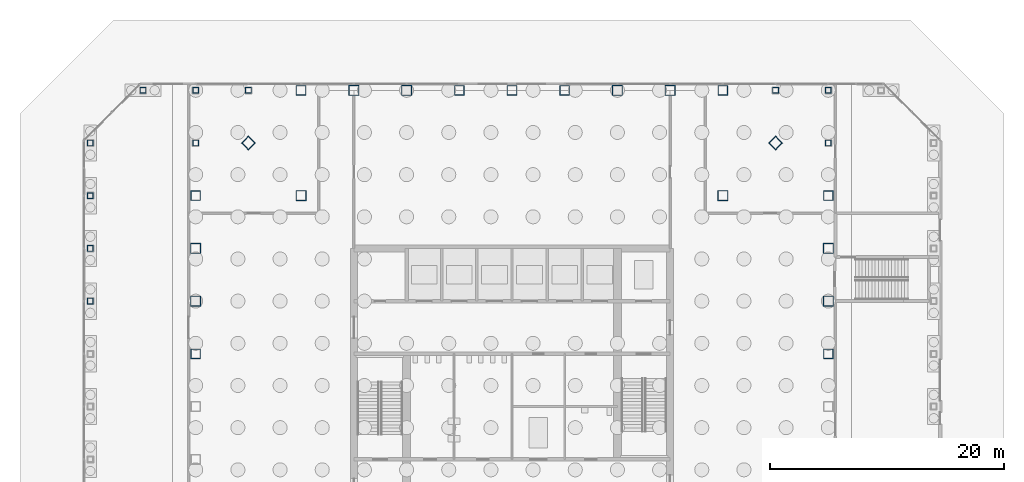
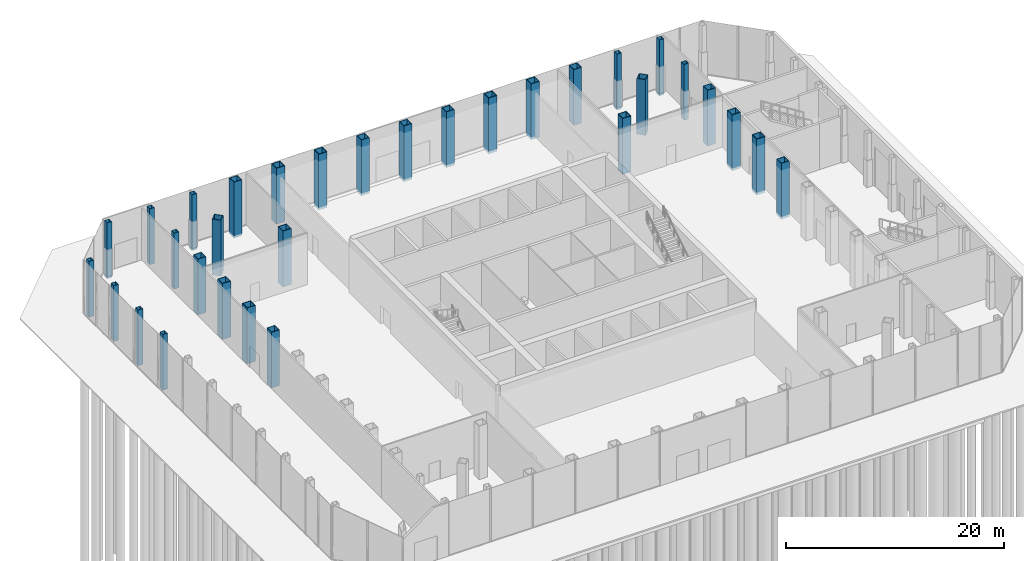
# One storey, part 4 of 24: 32 columns.
"""IFC4 building model written with IfcOpenShell, lengths in metres."""

from ifc_helpers import new_model, si_unit, direction, frame, origin, origin_2d, place, context, subcontext, project, spatial, hollow_rectangle, extrude, material, material_profile, profile_set, type_object, element, save


model = new_model("IFC4")

# Units and contexts
model_context = context("Model", 3, precision=1e-05, world=origin(), true_north=direction((0.0, 1.0)))
body_context = subcontext(model_context, "Body", "Model", "MODEL_VIEW")
ifc_project = project(units=[si_unit("LENGTHUNIT", "METRE"), si_unit("AREAUNIT", "SQUARE_METRE"), si_unit("VOLUMEUNIT", "CUBIC_METRE"), si_unit("PLANEANGLEUNIT", "RADIAN"), si_unit("MASSUNIT", "GRAM", prefix="KILO")], contexts=[model_context])

# Site, building, storey
site_placement = place(None, origin())
site = spatial("IfcSite", under=ifc_project, at=site_placement, CompositionType="ELEMENT")
building_placement = place(site_placement, origin())
building = spatial("IfcBuilding", under=site, at=building_placement, Name="Corais Broadcast Tower", CompositionType="ELEMENT")
storey_placement = place(building_placement, origin())
storey = spatial("IfcBuildingStorey", under=building, at=storey_placement, Name="L00", CompositionType="ELEMENT", Elevation=0.0)

# Columns
ifc_material_1 = material(Name="Steel ASTM A572 Grade 50", Category="steel")
ifc_material_profile_1 = material_profile(ifc_material_1, hollow_rectangle(XDim=0.5, YDim=0.5, WallThickness=0.02197265625, at=origin_2d()), Name="BOX 500x500x22")
ifc_profile_set_1 = profile_set([ifc_material_profile_1], Name="Steel ASTM A572 Grade 50")
column_type_1 = type_object("IfcColumnType", Name="Column BOX 500x500x22", PredefinedType="COLUMN", material=ifc_profile_set_1)
for number, where, z_axis, x_axis, name in (
    (1, (-9.0, 36.0, -0.25), (0.0, 0.0, 1.0), (1.0, 0.0, 0.0), "C9 J/1"),
    (2, (-9.0, 40.5, -0.25), (0.0, 0.0, 1.0), (1.0, 0.0, 0.0), "C9 K/1"),
    (3, (-9.0, 45.0, -0.25), (0.0, 0.0, 1.0), (1.0, 0.0, 0.0), "C9 L/1"),
    (4, (-9.0, 49.5, -0.25), (0.0, 0.0, 1.0), (1.0, 0.0, 0.0), "C9 M/1"),
    (5, (-4.5, 54.0, -0.25), (0.0, 0.0, 1.0), (1.0, 0.0, 0.0), "C9 N/2"),
    (6, (54.0, 54.0, -0.25), (0.0, 0.0, 1.0), (1.0, 0.0, 0.0), "C9 N/15"),
    (7, (49.5, 54.0, -0.25), (0.0, 0.0, 1.0), (1.0, 0.0, 0.0), "C9 N/14"),
    (8, (54.0, 49.5, -0.25), (0.0, 0.0, 1.0), (1.0, 0.0, 0.0), "C9 M/15"),
    (9, (0.0, 54.0, -0.25), (0.0, 0.0, 1.0), (1.0, 0.0, 0.0), "C9 N/3"),
    (10, (4.5, 54.0, -0.25), (0.0, 0.0, 1.0), (1.0, 0.0, 0.0), "C9 N/4"),
    (11, (0.0, 49.5, -0.25), (0.0, 0.0, 1.0), (1.0, 0.0, 0.0), "C9 M/3"),
):
    element("IfcColumn", number, at=place(storey_placement, frame(where, z_axis=z_axis, x_axis=x_axis)), inside=storey, type_object=column_type_1, Name=name, PredefinedType="COLUMN", context=body_context, shape_type="SweptSolid", body=[
        extrude(hollow_rectangle(XDim=0.5, YDim=0.5, WallThickness=0.02197265625, at=origin_2d()), origin(), (0.0, 0.0, 1.0), 6.25),
    ])
ifc_material_2 = material(Name="Steel ASTM A572 Grade 50", Category="steel")
ifc_material_profile_2 = material_profile(ifc_material_2, hollow_rectangle(XDim=0.85009765625, YDim=0.85009765625, WallThickness=0.050048828125, at=origin_2d()), Name="BOX 850x850x50")
ifc_profile_set_2 = profile_set([ifc_material_profile_2], Name="Steel ASTM A572 Grade 50")
column_type_2 = type_object("IfcColumnType", Name="Column BOX 850x850x50", PredefinedType="COLUMN", material=ifc_profile_set_2)
for number, where, z_axis, x_axis, name in (
    (12, (54.0, 31.5, -0.25), (0.0, 0.0, 1.0), (1.0, 0.0, 0.0), "C1 H/15"),
    (13, (54.0, 45.0, -0.25), (0.0, 0.0, 1.0), (1.0, 0.0, 0.0), "C1 L/15"),
    (14, (45.0, 54.0, -0.25), (0.0, 0.0, 1.0), (1.0, 0.0, 0.0), "C1 N/13"),
    (15, (31.5, 54.0, -0.25), (0.0, 0.0, 1.0), (1.0, 0.0, 0.0), "C1 N/10"),
    (16, (27.0, 54.0, -0.25), (0.0, 0.0, 1.0), (1.0, 0.0, 0.0), "C1 N/9"),
    (17, (22.5, 54.0, -0.25), (0.0, 0.0, 1.0), (1.0, 0.0, 0.0), "C1 N/8"),
    (18, (9.0, 54.0, -0.25), (0.0, 0.0, 1.0), (1.0, 0.0, 0.0), "C1 N/5"),
    (19, (0.0, 45.0, -0.25), (0.0, 0.0, 1.0), (1.0, 0.0, 0.0), "C1 L/3"),
    (20, (0.0, 31.5, -0.25), (0.0, 0.0, 1.0), (1.0, 0.0, 0.0), "C1 H/3"),
    (21, (49.5, 49.5, -0.25), (0.0, 0.0, 1.0), (0.707106781187, 0.707106781187, 0.0), "C1 M/14"),
    (22, (4.5, 49.5, -0.25), (0.0, 0.0, 1.0), (0.707106781187, 0.707106781187, 0.0), "C1 M/4"),
):
    element("IfcColumn", number, at=place(storey_placement, frame(where, z_axis=z_axis, x_axis=x_axis)), inside=storey, type_object=column_type_2, Name=name, PredefinedType="COLUMN", context=body_context, shape_type="SweptSolid", body=[
        extrude(hollow_rectangle(XDim=0.85009765625, YDim=0.85009765625, WallThickness=0.050048828125, at=origin_2d()), origin(), (0.0, 0.0, 1.0), 6.25),
    ])
ifc_material_3 = material(Name="Steel ASTM A572 Grade 50", Category="steel")
ifc_material_profile_3 = material_profile(ifc_material_3, hollow_rectangle(XDim=0.89990234375, YDim=0.89990234375, WallThickness=0.06298828125, at=origin_2d()), Name="BOX 900x900x63")
ifc_profile_set_3 = profile_set([ifc_material_profile_3], Name="Steel ASTM A572 Grade 50")
column_type_3 = type_object("IfcColumnType", Name="Column BOX 900x900x63", PredefinedType="COLUMN", material=ifc_profile_set_3)
for number, where, z_axis, x_axis, name in (
    (23, (54.0, 36.0, -0.25), (0.0, 0.0, 1.0), (1.0, 0.0, 0.0), "C2 J/15"),
    (24, (54.0, 40.5, -0.25), (0.0, 0.0, 1.0), (1.0, 0.0, 0.0), "C2 K/15"),
    (25, (40.5, 54.0, -0.25), (0.0, 0.0, 1.0), (1.0, 0.0, 0.0), "C2 N/12"),
    (26, (36.0, 54.0, -0.25), (0.0, 0.0, 1.0), (1.0, 0.0, 0.0), "C2 N/11"),
    (27, (18.0, 54.0, -0.25), (0.0, 0.0, 1.0), (1.0, 0.0, 0.0), "C2 N/7"),
    (28, (13.5, 54.0, -0.25), (0.0, 0.0, 1.0), (1.0, 0.0, 0.0), "C2 N/6"),
    (29, (0.0, 40.5, -0.25), (0.0, 0.0, 1.0), (1.0, 0.0, 0.0), "C2 K/3"),
    (30, (0.0, 36.0, -0.25), (0.0, 0.0, 1.0), (1.0, 0.0, 0.0), "C2 J/3"),
    (31, (45.0, 45.0, -0.25), (0.0, 0.0, 1.0), (1.0, 0.0, 0.0), "C2 L/13"),
    (32, (9.0, 45.0, -0.25), (0.0, 0.0, 1.0), (1.0, 0.0, 0.0), "C2 L/5"),
):
    element("IfcColumn", number, at=place(storey_placement, frame(where, z_axis=z_axis, x_axis=x_axis)), inside=storey, type_object=column_type_3, Name=name, PredefinedType="COLUMN", context=body_context, shape_type="SweptSolid", body=[
        extrude(hollow_rectangle(XDim=0.89990234375, YDim=0.89990234375, WallThickness=0.06298828125, at=origin_2d()), origin(), (0.0, 0.0, 1.0), 6.25),
    ])

save(model, "model.ifc")
